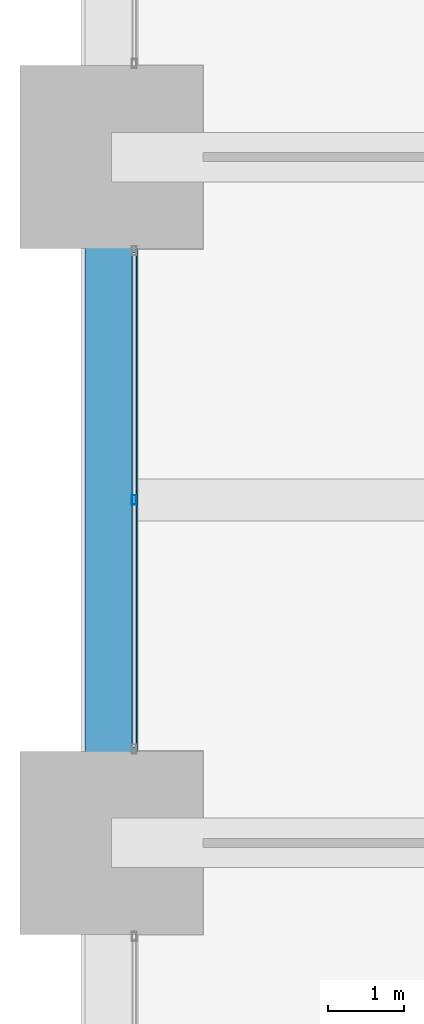
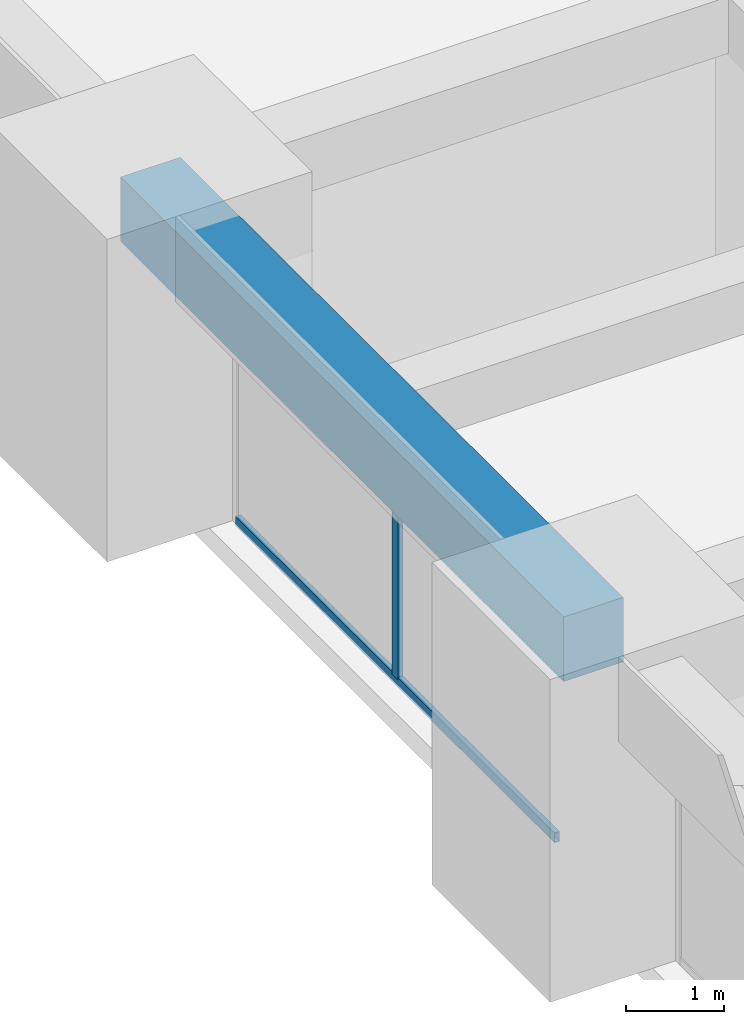
# One storey, part 14 of 45: 2 members, 1 beam, 1 element without a shape of its own.
"""IFC4 building model written with IfcOpenShell, lengths in metres."""

from ifc_helpers import new_model, si_unit, direction, frame, origin, origin_2d, place, context, subcontext, project, spatial, rectangle, hollow_rectangle, extrude, material, material_profile, profile_set, type_object, element, aggregate, save


model = new_model("IFC4")

# Units and contexts
model_context = context("Model", 3, precision=1e-05, world=origin(), true_north=direction((0.0, 1.0)))
body_context = subcontext(model_context, "Body", "Model", "MODEL_VIEW")
ifc_project = project(units=[si_unit("LENGTHUNIT", "METRE"), si_unit("AREAUNIT", "SQUARE_METRE"), si_unit("VOLUMEUNIT", "CUBIC_METRE"), si_unit("PLANEANGLEUNIT", "RADIAN"), si_unit("MASSUNIT", "GRAM", prefix="KILO")], contexts=[model_context])

# Site, building, storey
site_placement = place(None, origin())
site = spatial("IfcSite", under=ifc_project, at=site_placement, CompositionType="ELEMENT")
building_placement = place(site_placement, origin())
building = spatial("IfcBuilding", under=site, at=building_placement, Name="Zorevar Civic Tower", CompositionType="ELEMENT")
storey_placement = place(building_placement, frame((0.0, 0.0, 247.39990234375)))
storey = spatial("IfcBuildingStorey", under=building, at=storey_placement, Name="L60", CompositionType="ELEMENT", Elevation=247.39990234375)

# Curtain wall, members
ifc_material_1 = material(Name="Dark grey solar-control glass in black aluminium frame", Category="aluminium")
curtain_wall_type = type_object("IfcCurtainWallType", Name="Curtain wall CW5 top zone", PredefinedType="NOTDEFINED", material=ifc_material_1)
curtain_wall_placement = place(storey_placement, origin())
curtain_wall = element("IfcCurtainWall", 1, at=curtain_wall_placement, inside=storey, type_object=curtain_wall_type, Name="CW5 L60", PredefinedType="NOTDEFINED")
ifc_material_2 = material(Name="Aluminium, black anodised", Category="aluminium")
ifc_material_profile_1 = material_profile(ifc_material_2, hollow_rectangle(XDim=0.06005859375, YDim=0.1201171875, WallThickness=0.0029296875, at=origin_2d()), Name="AL 120x60x3")
ifc_profile_set_1 = profile_set([ifc_material_profile_1], Name="Aluminium, black anodised")
member_type_1 = type_object("IfcMemberType", Name="CW5 mullion AL 120x60x3", PredefinedType="MULLION", material=ifc_profile_set_1)
member_1_placement = place(storey_placement, frame((9.300048828125, 22.5, 0.06005859375), z_axis=(0.0, 0.0, 1.0), x_axis=(-1.0, 0.0, 0.0)))
member_1 = element("IfcMember", 2, at=member_1_placement, type_object=member_type_1, Name="CW5 mullion 2", PredefinedType="MULLION", context=body_context, shape_type="SweptSolid", body=[
    extrude(hollow_rectangle(XDim=0.06005859375, YDim=0.1201171875, WallThickness=0.0029296875, at=origin_2d()), origin(), (0.0, 0.0, 1.0), 2.89013671875),
])
ifc_material_3 = material(Name="Aluminium, black anodised", Category="aluminium")
ifc_material_profile_2 = material_profile(ifc_material_3, hollow_rectangle(XDim=0.06005859375, YDim=0.1201171875, WallThickness=0.0029296875, at=origin_2d()), Name="AL 120x60x3")
ifc_profile_set_2 = profile_set([ifc_material_profile_2], Name="Aluminium, black anodised")
member_type_2 = type_object("IfcMemberType", Name="CW5 transom AL 120x60x3", PredefinedType="USERDEFINED", material=ifc_profile_set_2)
member_2_placement = place(storey_placement, frame((9.300048828125, 19.260009765625, 0.030029296875), z_axis=(0.0, 1.0, 0.0), x_axis=(-1.0, 0.0, 0.0)))
member_2 = element("IfcMember", 3, at=member_2_placement, type_object=member_type_2, Name="CW5 sill transom", ObjectType="TRANSOM", PredefinedType="USERDEFINED", context=body_context, shape_type="SweptSolid", body=[
    extrude(hollow_rectangle(XDim=0.06005859375, YDim=0.1201171875, WallThickness=0.0029296875, at=origin_2d()), origin(), (0.0, 0.0, 1.0), 6.47998046875),
])
aggregate(curtain_wall, [member_1, member_2])

# Beam
ifc_material_4 = material(Name="Concrete C50/60", Category="concrete")
ifc_material_profile_3 = material_profile(ifc_material_4, rectangle(XDim=0.699951171875, YDim=0.800048828125, at=origin_2d()), Name="RC 700x800")
ifc_profile_set_3 = profile_set([ifc_material_profile_3], Name="Concrete C50/60")
beam_type = type_object("IfcBeamType", Name="Edge beam RC 700x800", PredefinedType="SPANDREL", material=ifc_profile_set_3)
beam_placement = place(storey_placement, frame((9.0, 18.0, 3.35009765625), z_axis=(0.0, 1.0, 0.0), x_axis=(-1.0, 0.0, 0.0)))
element("IfcBeam", 4, at=beam_placement, inside=storey, type_object=beam_type, Name="Edge beam L61", PredefinedType="SPANDREL", context=body_context, shape_type="SweptSolid", body=[
    extrude(rectangle(XDim=0.699951171875, YDim=0.800048828125, at=origin_2d()), origin(), (0.0, 0.0, 1.0), 9.0),
])

save(model, "model.ifc")
